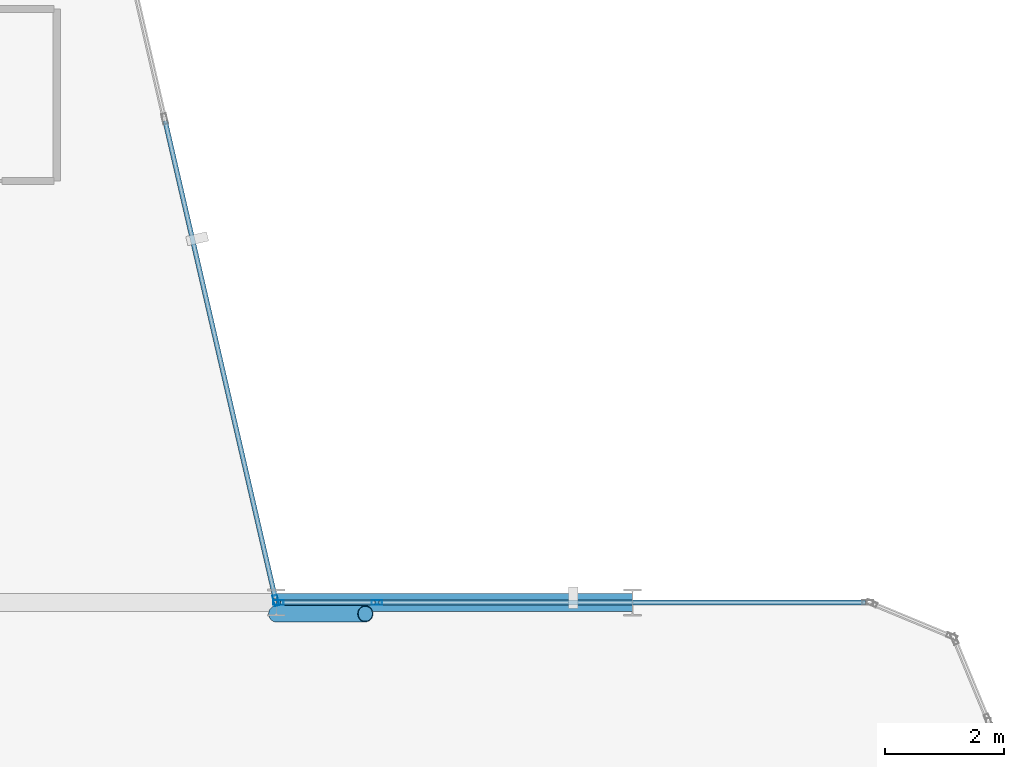
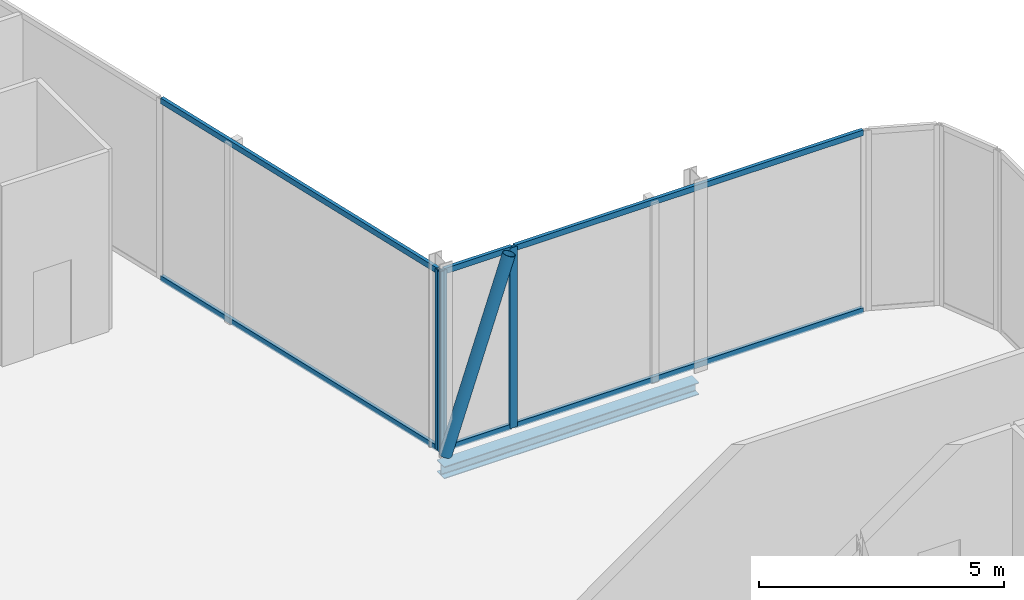
# One storey, part 14 of 29: 10 members, 1 beam, 3 elements without a shape of their own.
"""IFC4 building model written with IfcOpenShell, lengths in metres."""

from ifc_helpers import new_model, si_unit, direction, frame, origin, origin_2d, place, context, subcontext, project, spatial, hollow_rectangle, hollow_circle, i_section, extrude, material, layer, layer_set, material_profile, profile_set, type_object, element, aggregate, save


model = new_model("IFC4")

# Units and contexts
model_context = context("Model", 3, precision=1e-05, world=origin(), true_north=direction((0.0, 1.0)))
body_context = subcontext(model_context, "Body", "Model", "MODEL_VIEW")
ifc_project = project(units=[si_unit("LENGTHUNIT", "METRE"), si_unit("AREAUNIT", "SQUARE_METRE"), si_unit("VOLUMEUNIT", "CUBIC_METRE"), si_unit("PLANEANGLEUNIT", "RADIAN"), si_unit("MASSUNIT", "GRAM", prefix="KILO")], contexts=[model_context])

# Site, building, storey
site_placement = place(None, origin())
site = spatial("IfcSite", under=ifc_project, at=site_placement, CompositionType="ELEMENT")
building_placement = place(site_placement, origin())
building = spatial("IfcBuilding", under=site, at=building_placement, Name="Keshet Zoharim Tower", CompositionType="ELEMENT")
storey_placement = place(building_placement, frame((0.0, 0.0, 218.0)))
storey = spatial("IfcBuildingStorey", under=building, at=storey_placement, Name="L54", CompositionType="ELEMENT", Elevation=218.0)

# Beam
ifc_material_1 = material(Name="Steel S355", Category="steel")
ifc_material_profile_1 = material_profile(ifc_material_1, i_section(OverallWidth=0.300048828125, OverallDepth=0.300048828125, WebThickness=0.010986328125, FlangeThickness=0.01904296875, FilletRadius=0.027099609375, at=origin_2d()), Name="HEB300")
ifc_profile_set_1 = profile_set([ifc_material_profile_1], Name="Steel S355")
beam_type = type_object("IfcBeamType", Name="BM-PRI-HB300", PredefinedType="BEAM", material=ifc_profile_set_1)
beam_placement = place(storey_placement, frame((45.0, 27.89990234375, -0.469970703125), z_axis=(1.0, 0.0, 0.0), x_axis=(0.0, 1.0, 0.0)))
element("IfcBeam", 1, at=beam_placement, inside=storey, type_object=beam_type, Name="L54 Primary Girder X-016", PredefinedType="BEAM", context=body_context, shape_type="SweptSolid", body=[
    extrude(i_section(OverallWidth=0.300048828125, OverallDepth=0.300048828125, WebThickness=0.010986328125, FlangeThickness=0.01904296875, FilletRadius=0.027099609375, at=origin_2d()), origin(), (0.0, 0.0, 1.0), 6.0),
])

# Curtain wall, member
ifc_material_2 = material(Name="Aluminium 6063-T6", Category="aluminium")
ifc_layer = layer(ifc_material_2, 0.14990234375)
ifc_layer_set = layer_set([ifc_layer], Name="Aluminium 6063-T6")
curtain_wall_type = type_object("IfcCurtainWallType", Name="CW-SYS-04", PredefinedType="NOTDEFINED", material=ifc_layer_set)
curtain_wall_1_placement = place(storey_placement, origin())
curtain_wall_1 = element("IfcCurtainWall", 2, at=curtain_wall_1_placement, inside=storey, type_object=curtain_wall_type, Name="L54 Unitised Curtain Wall 19", PredefinedType="NOTDEFINED")
ifc_material_profile_2 = material_profile(ifc_material_2, hollow_rectangle(XDim=0.080078125, YDim=0.179931640625, WallThickness=0.00439453125, at=origin_2d()), Name="MUL-80x180")
ifc_profile_set_2 = profile_set([ifc_material_profile_2], Name="Aluminium 6063-T6")
member_type_1 = type_object("IfcMemberType", Name="CWM-M18", PredefinedType="MULLION", material=ifc_profile_set_2)
member_1_placement = place(storey_placement, frame((44.9921875, 27.93408203125, 0.0), z_axis=(0.0, 0.0, 1.0), x_axis=(0.974393882313, 0.224847864369, 0.0)))
member_1 = element("IfcMember", 3, at=member_1_placement, type_object=member_type_1, Name="CW-04 mullion 4", PredefinedType="MULLION", context=body_context, shape_type="SweptSolid", body=[
    extrude(hollow_rectangle(XDim=0.080078125, YDim=0.179931640625, WallThickness=0.00439453125, at=origin_2d()), origin(), (0.0, 0.0, 1.0), 4.489990234375),
])

# Curtain wall, members
curtain_wall_2_placement = place(storey_placement, origin())
curtain_wall_2 = element("IfcCurtainWall", 4, at=curtain_wall_2_placement, inside=storey, type_object=curtain_wall_type, Name="L54 Unitised Curtain Wall 20", PredefinedType="NOTDEFINED")
member_2_placement = place(storey_placement, frame((45.034912109375, 27.89990234375, 0.0), z_axis=(0.0, 0.0, 1.0), x_axis=(0.0, 1.0, 0.0)))
member_2 = element("IfcMember", 5, at=member_2_placement, type_object=member_type_1, Name="CW-04 mullion 1", PredefinedType="MULLION", context=body_context, shape_type="SweptSolid", body=[
    extrude(hollow_rectangle(XDim=0.080078125, YDim=0.179931640625, WallThickness=0.00439453125, at=origin_2d()), origin(), (0.0, 0.0, 1.0), 4.489990234375),
])
member_3_placement = place(storey_placement, frame((46.694580078125, 27.89990234375, 0.0), z_axis=(0.0, 0.0, 1.0), x_axis=(0.0, 1.0, 0.0)))
member_3 = element("IfcMember", 6, at=member_3_placement, type_object=member_type_1, Name="CW-04 mullion 2", PredefinedType="MULLION", context=body_context, shape_type="SweptSolid", body=[
    extrude(hollow_rectangle(XDim=0.080078125, YDim=0.179931640625, WallThickness=0.00439453125, at=origin_2d()), origin(), (0.0, 0.0, 1.0), 4.489990234375),
])

# Member
ifc_material_profile_3 = material_profile(ifc_material_2, hollow_rectangle(XDim=0.080078125, YDim=0.139892578125, WallThickness=0.00390625, at=origin_2d()), Name="TRN-80x140")
ifc_profile_set_3 = profile_set([ifc_material_profile_3], Name="Aluminium 6063-T6")
member_type_2 = type_object("IfcMemberType", Name="CWT-T14", PredefinedType="USERDEFINED", material=ifc_profile_set_3)
member_4_placement = place(storey_placement, frame((43.127197265625, 36.015869140625, 0.034912109375), z_axis=(0.224863824467, -0.974390199277, 0.0), x_axis=(0.974390199277, 0.224863824467, 0.0)))
member_4 = element("IfcMember", 7, at=member_4_placement, type_object=member_type_2, Name="CW-04 transom 3.1", ObjectType="TRANSOM", PredefinedType="USERDEFINED", context=body_context, shape_type="SweptSolid", body=[
    extrude(hollow_rectangle(XDim=0.080078125, YDim=0.139892578125, WallThickness=0.00390625, at=origin_2d()), origin(), (0.0, 0.0, 1.0), 8.259033203125),
])

member_5_placement = place(storey_placement, frame((43.127197265625, 36.015869140625, 4.455078125), z_axis=(0.224863824467, -0.974390199277, 0.0), x_axis=(0.974390199277, 0.224863824467, 0.0)))
member_5 = element("IfcMember", 8, at=member_5_placement, type_object=member_type_2, Name="CW-04 transom 3.2", ObjectType="TRANSOM", PredefinedType="USERDEFINED", context=body_context, shape_type="SweptSolid", body=[
    extrude(hollow_rectangle(XDim=0.080078125, YDim=0.139892578125, WallThickness=0.00390625, at=origin_2d()), origin(), (0.0, 0.0, 1.0), 8.259033203125),
])

aggregate(curtain_wall_1, [member_1, member_4, member_5])

member_6_placement = place(storey_placement, frame((45.070068359375, 27.89990234375, 0.034912109375), z_axis=(1.0, 0.0, 0.0), x_axis=(0.0, 1.0, 0.0)))
member_6 = element("IfcMember", 9, at=member_6_placement, type_object=member_type_2, Name="CW-04 transom 1.1", ObjectType="TRANSOM", PredefinedType="USERDEFINED", context=body_context, shape_type="SweptSolid", body=[
    extrude(hollow_rectangle(XDim=0.080078125, YDim=0.139892578125, WallThickness=0.00390625, at=origin_2d()), origin(), (0.0, 0.0, 1.0), 1.58935546875),
])

member_7_placement = place(storey_placement, frame((45.070068359375, 27.89990234375, 4.455078125), z_axis=(1.0, 0.0, 0.0), x_axis=(0.0, 1.0, 0.0)))
member_7 = element("IfcMember", 10, at=member_7_placement, type_object=member_type_2, Name="CW-04 transom 1.2", ObjectType="TRANSOM", PredefinedType="USERDEFINED", context=body_context, shape_type="SweptSolid", body=[
    extrude(hollow_rectangle(XDim=0.080078125, YDim=0.139892578125, WallThickness=0.00390625, at=origin_2d()), origin(), (0.0, 0.0, 1.0), 1.58935546875),
])

aggregate(curtain_wall_2, [member_2, member_3, member_6, member_7])

# Curtain wall, members
curtain_wall_3_placement = place(storey_placement, origin())
curtain_wall_3 = element("IfcCurtainWall", 11, at=curtain_wall_3_placement, inside=storey, type_object=curtain_wall_type, Name="L54 Unitised Curtain Wall 20 Part 2", PredefinedType="NOTDEFINED")
member_8_placement = place(storey_placement, frame((46.7294921875, 27.89990234375, 0.034912109375), z_axis=(1.0, 0.0, 0.0), x_axis=(0.0, 1.0, 0.0)))
member_8 = element("IfcMember", 12, at=member_8_placement, type_object=member_type_2, Name="CW-04 transom 1.1", ObjectType="TRANSOM", PredefinedType="USERDEFINED", context=body_context, shape_type="SweptSolid", body=[
    extrude(hollow_rectangle(XDim=0.080078125, YDim=0.139892578125, WallThickness=0.00390625, at=origin_2d()), origin(), (0.0, 0.0, 1.0), 8.200439453125),
])
member_9_placement = place(storey_placement, frame((46.7294921875, 27.89990234375, 4.455078125), z_axis=(1.0, 0.0, 0.0), x_axis=(0.0, 1.0, 0.0)))
member_9 = element("IfcMember", 13, at=member_9_placement, type_object=member_type_2, Name="CW-04 transom 1.2", ObjectType="TRANSOM", PredefinedType="USERDEFINED", context=body_context, shape_type="SweptSolid", body=[
    extrude(hollow_rectangle(XDim=0.080078125, YDim=0.139892578125, WallThickness=0.00390625, at=origin_2d()), origin(), (0.0, 0.0, 1.0), 8.200439453125),
])
aggregate(curtain_wall_3, [member_8, member_9])

# Member
ifc_material_profile_4 = material_profile(ifc_material_1, hollow_circle(Radius=0.136474609375, WallThickness=0.010009765625, at=origin_2d()), Name="CHS273x10")
ifc_profile_set_4 = profile_set([ifc_material_profile_4], Name="Steel S355")
member_type_3 = type_object("IfcMemberType", Name="MB-BR-C273", PredefinedType="BRACE", material=ifc_profile_set_4)
member_10_placement = place(storey_placement, frame((45.0, 27.7099609375, 0.0), z_axis=(0.316862038272, 0.0, 0.948471638323), x_axis=(0.0, 1.0, 0.0)))
element("IfcMember", 14, at=member_10_placement, inside=storey, type_object=member_type_3, Name="L54 Perimeter Tube Brace 04", PredefinedType="BRACE", context=body_context, shape_type="SweptSolid", body=[
    extrude(hollow_circle(Radius=0.136474609375, WallThickness=0.010009765625, at=origin_2d()), origin(), (0.0, 0.0, 1.0), 4.73388671875),
])

save(model, "model.ifc")
